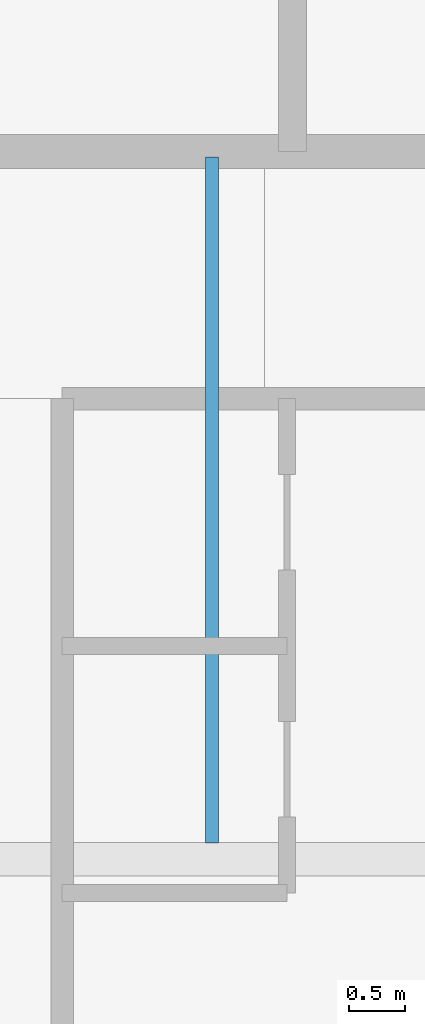
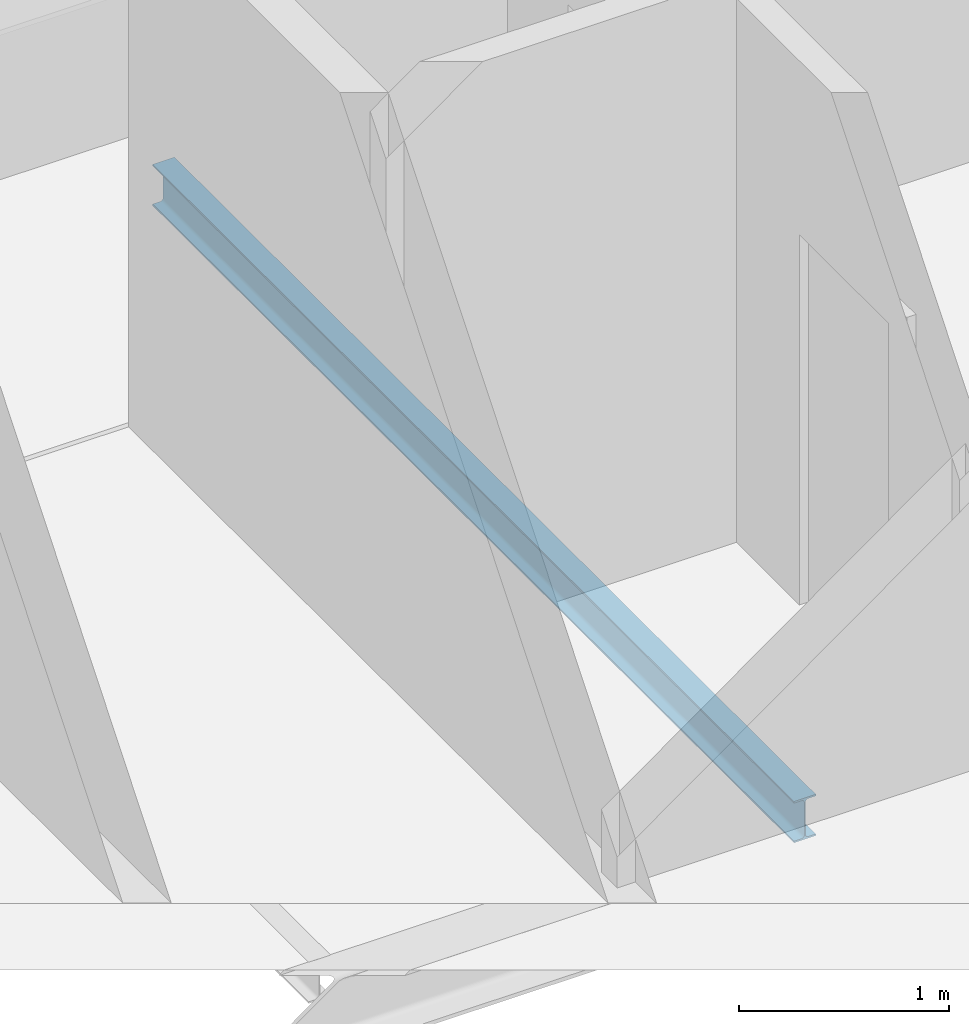
# One storey, part 8 of 17: 1 beam.
"""IFC4 building model written with IfcOpenShell, lengths in metres."""

from ifc_helpers import new_model, si_unit, direction, frame, origin, origin_2d, place, context, subcontext, project, spatial, i_section, extrude, material, material_profile, profile_set, type_object, element, save


model = new_model("IFC4")

# Units and contexts
model_context = context("Model", 3, precision=1e-05, world=origin(), true_north=direction((0.0, 1.0)))
body_context = subcontext(model_context, "Body", "Model", "MODEL_VIEW")
ifc_project = project(units=[si_unit("LENGTHUNIT", "METRE"), si_unit("AREAUNIT", "SQUARE_METRE"), si_unit("VOLUMEUNIT", "CUBIC_METRE"), si_unit("PLANEANGLEUNIT", "RADIAN"), si_unit("MASSUNIT", "GRAM", prefix="KILO")], contexts=[model_context])

# Site, building, storey
site_placement = place(None, origin())
site = spatial("IfcSite", under=ifc_project, at=site_placement, CompositionType="ELEMENT")
building_placement = place(site_placement, origin())
building = spatial("IfcBuilding", under=site, at=building_placement, Name="Catumbela Crestline Tower", CompositionType="ELEMENT")
storey_placement = place(building_placement, frame((0.0, 0.0, 271.6)))
storey = spatial("IfcBuildingStorey", under=building, at=storey_placement, Name="L70", CompositionType="ELEMENT", Elevation=271.6)

# Beam
ifc_material = material(Name="Structural steel S355J2", Category="steel")
ifc_material_profile = material_profile(ifc_material, i_section(OverallWidth=0.12, OverallDepth=0.24, WebThickness=0.0062, FlangeThickness=0.0098, FilletRadius=0.015, at=origin_2d()), Name="IPE 240")
ifc_profile_set = profile_set([ifc_material_profile], Name="Structural steel S355J2")
beam_type = type_object("IfcBeamType", Name="BJ-IPE240", PredefinedType="JOIST", material=ifc_profile_set)
beam_placement = place(storey_placement, frame((21.333, 24.647, -0.38), z_axis=(0.0, 1.0, 0.0), x_axis=(-1.0, 0.0, 0.0)))
element("IfcBeam", 1, at=beam_placement, inside=storey, type_object=beam_type, Name="L70 Joist JS-L70-SP13", PredefinedType="JOIST", context=body_context, shape_type="SweptSolid", body=[
    extrude(i_section(OverallWidth=0.12, OverallDepth=0.24, WebThickness=0.0062, FlangeThickness=0.0098, FilletRadius=0.015, at=origin_2d()), origin(), (0.0, 0.0, 1.0), 6.103),
])

save(model, "model.ifc")
